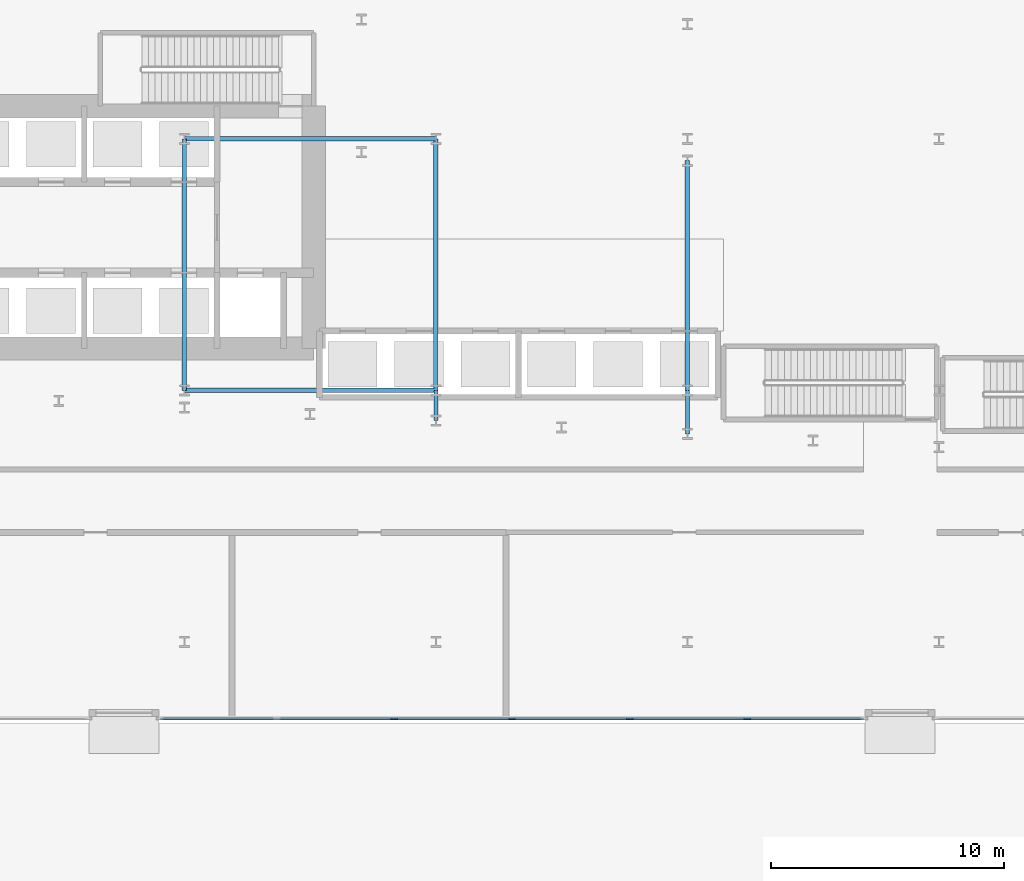
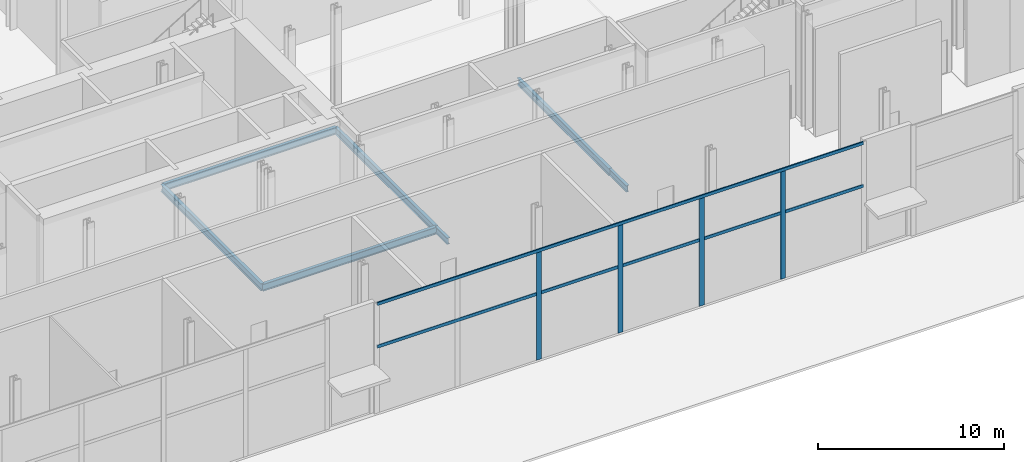
# One storey, part 6 of 46: 7 beams, 6 members, 1 element without a shape of its own.
"""IFC4 building model written with IfcOpenShell, lengths in metres."""

import ifcopenshell
import ifcopenshell.guid

model = None  # the IFC model being written
_history = None  # IfcOwnerHistory: only IFC2X3 demands one
_inside = {}  # id of a spatial element -> (the spatial element, [elements in it])
_under = {}  # id of a project, library or spatial element -> (it, [spatial elements below it])
_declared = {}  # id of a project -> (the project, [libraries it declares])
_typed = {}  # id of a type object -> (the type object, [elements of that type])
_made_of = {}  # id of a material, layer set ... -> (it, [elements and type objects made of it])


def new_model(schema):
    """Start an empty IFC model of exactly this schema.

    Asked for "IFC4X3", IfcOpenShell would pick the latest addendum, in which some entities
    have other attributes; the version numbers below select the first issue.
    IFC2X3 requires an IfcOwnerHistory on every rooted entity: one is made here for all.
    """
    global model, _history
    if schema == "IFC4X3":
        model = ifcopenshell.file(schema_version=(4, 3, 0, 0))
    else:
        model = ifcopenshell.file(schema=schema)
    _inside.clear()
    _under.clear()
    _declared.clear()
    _typed.clear()
    _made_of.clear()
    _history = None
    if model.schema == "IFC2X3":
        org = make("IfcOrganization", Name="unknown")
        user = make(
            "IfcPersonAndOrganization",
            ThePerson=make("IfcPerson", FamilyName="unknown"),
            TheOrganization=org,
        )
        app = make(
            "IfcApplication",
            ApplicationDeveloper=org,
            Version="unknown",
            ApplicationFullName="unknown",
            ApplicationIdentifier="unknown",
        )
        _history = make(
            "IfcOwnerHistory",
            OwningUser=user,
            OwningApplication=app,
            ChangeAction="ADDED",
            CreationDate=0,
        )
    return model


def make(cls, **values):
    """One entity of the class cls with the attributes given. An attribute that is None is left unset."""
    return model.create_entity(
        cls, **{name: value for name, value in values.items() if value is not None}
    )


def rooted(cls, **values):
    """An entity with a GlobalId (a new one), such as an element, a storey or a relation."""
    return make(cls, GlobalId=ifcopenshell.guid.new(), OwnerHistory=_history, **values)


def si_unit(unit_type, name, prefix=None):
    """IfcSIUnit, for example si_unit("LENGTHUNIT", "METRE", prefix="MILLI")."""
    return make("IfcSIUnit", UnitType=unit_type, Prefix=prefix, Name=name)


def assignment(units):
    """IfcUnitAssignment: the units of a project."""
    return None if units is None else make("IfcUnitAssignment", Units=units)


def point(xyz):
    """IfcCartesianPoint."""
    return None if xyz is None else make("IfcCartesianPoint", Coordinates=xyz)


def direction(xyz):
    """IfcDirection."""
    return None if xyz is None else make("IfcDirection", DirectionRatios=xyz)


def frame(location, z_axis=None, x_axis=None):
    """IfcAxis2Placement3D, a coordinate frame: its origin and axes. An axis left out is left unset."""
    return make(
        "IfcAxis2Placement3D",
        Location=point(location),
        Axis=direction(z_axis),
        RefDirection=direction(x_axis),
    )


def frame_2d(location, x_axis=None):
    """IfcAxis2Placement2D, a coordinate frame in the plane: its origin and x axis."""
    return make(
        "IfcAxis2Placement2D", Location=point(location), RefDirection=direction(x_axis)
    )


def origin():
    """The frame at (0, 0, 0) with its axes left unset."""
    return frame((0.0, 0.0, 0.0))


def origin_2d():
    """The frame at (0, 0) in the plane with its x axis left unset."""
    return frame_2d((0.0, 0.0))


def place(relative_to, where):
    """IfcLocalPlacement: puts the frame where relative to a parent placement (None: the world)."""
    return make(
        "IfcLocalPlacement", PlacementRelTo=relative_to, RelativePlacement=where
    )


def context(
    kind, dimensions, precision=None, world=None, true_north=None, identifier=None
):
    """IfcGeometricRepresentationContext, for example the 3D "Model" context."""
    return make(
        "IfcGeometricRepresentationContext",
        ContextIdentifier=identifier,
        ContextType=kind,
        CoordinateSpaceDimension=dimensions,
        Precision=precision,
        WorldCoordinateSystem=world,
        TrueNorth=true_north,
    )


def subcontext(parent, identifier, kind, view, scale=None):
    """IfcGeometricRepresentationSubContext, for example "Body" below "Model"."""
    return make(
        "IfcGeometricRepresentationSubContext",
        ContextIdentifier=identifier,
        ContextType=kind,
        ParentContext=parent,
        TargetScale=scale,
        TargetView=view,
    )


def project(units=None, contexts=None):
    """IfcProject with its units and contexts."""
    return rooted(
        "IfcProject",
        Name="project",
        RepresentationContexts=contexts,
        UnitsInContext=assignment(units),
    )


def spatial(cls, under=None, at=None, **own):
    """A site, building, storey or space (cls), placed at a placement, below another one or the project."""
    s = rooted(cls, ObjectPlacement=at, **own)
    if under is not None:
        _under.setdefault(under.id(), (under, []))[1].append(s)
    return s


def profile(cls, at=None, kind="AREA", **sizes):
    """A parametric profile (cls). Its sizes go by their IFC names, for example OverallWidth=200.0."""
    return make(cls, ProfileType=kind, Position=at, **sizes)


def rectangle(**sizes):
    """IfcRectangleProfileDef."""
    return profile("IfcRectangleProfileDef", **sizes)


def i_section(**sizes):
    """IfcIShapeProfileDef."""
    return profile("IfcIShapeProfileDef", **sizes)


def extrude(swept, where, along, depth):
    """IfcExtrudedAreaSolid: the profile swept, set in the frame where, extruded along a direction by depth."""
    return make(
        "IfcExtrudedAreaSolid",
        SweptArea=swept,
        Position=where,
        ExtrudedDirection=direction(along),
        Depth=depth,
    )


def shape(context_of_items, identifier, shape_type, items):
    """IfcShapeRepresentation: the items that make up one representation, for example the "Body"."""
    return make(
        "IfcShapeRepresentation",
        ContextOfItems=context_of_items,
        RepresentationIdentifier=identifier,
        RepresentationType=shape_type,
        Items=items,
    )


def material(Name=None, Category=None):
    """IfcMaterial."""
    return make("IfcMaterial", Name=Name, Category=Category)


def layer(
    of_material, thickness, ventilated=None, Name=None, Category=None, Priority=None
):
    """IfcMaterialLayer: one layer of a wall or slab, of a material (None: an air gap)."""
    return make(
        "IfcMaterialLayer",
        Material=of_material,
        LayerThickness=thickness,
        IsVentilated=ventilated,
        Name=Name,
        Category=Category,
        Priority=Priority,
    )


def layer_set(layers, Name=None):
    """IfcMaterialLayerSet."""
    return make("IfcMaterialLayerSet", MaterialLayers=layers, LayerSetName=Name)


def material_profile(
    of_material, cross_section, Name=None, Category=None, Priority=None
):
    """IfcMaterialProfile: a cross section and its material."""
    return make(
        "IfcMaterialProfile",
        Name=Name,
        Material=of_material,
        Profile=cross_section,
        Priority=Priority,
        Category=Category,
    )


def profile_set(profiles, Name=None, composite=None):
    """IfcMaterialProfileSet."""
    return make(
        "IfcMaterialProfileSet",
        Name=Name,
        MaterialProfiles=profiles,
        CompositeProfile=composite,
    )


def made_of(thing, what):
    """Note that an element or type object is made of a material, layer set ...; save() writes the relation."""
    if what is not None:
        _made_of.setdefault(what.id(), (what, []))[1].append(thing)
    return thing


def type_object(cls, material=None, **own):
    """A type object (cls), such as IfcWallType, which elements share."""
    return made_of(rooted(cls, **own), material)


def element(
    cls,
    number,
    at=None,
    inside=None,
    cuts=None,
    type_object=None,
    material=None,
    context=None,
    identifier="Body",
    shape_type=None,
    held_by="IfcProductDefinitionShape",
    body=None,
    shapes=None,
    **own,
):
    """One element of the class cls, such as IfcWall. Its Tag is "e" and its number.

    at: its placement. inside: the storey or other place that contains it. cuts: it is an
    opening in that element (IfcRelVoidsElement). A single representation is given by context,
    identifier, shape_type and body (its items); several are given by shapes. held_by: the class
    of the entity that holds the representations. save() writes the other relations.
    """
    e = rooted(cls, Tag="e%d" % number, ObjectPlacement=at, **own)
    if body is not None:
        shapes = [shape(context, identifier, shape_type, body)]
    if shapes is not None:
        e.Representation = make(held_by, Representations=shapes)
    if inside is not None:
        _inside.setdefault(inside.id(), (inside, []))[1].append(e)
    if cuts is not None:
        rooted(
            "IfcRelVoidsElement", RelatingBuildingElement=cuts, RelatedOpeningElement=e
        )
    if type_object is not None:
        _typed.setdefault(type_object.id(), (type_object, []))[1].append(e)
    return made_of(e, material)


def aggregate(whole, parts):
    """IfcRelAggregates: a whole, such as a stair, and the parts it consists of."""
    return rooted("IfcRelAggregates", RelatingObject=whole, RelatedObjects=parts)


def save(model, path):
    """Write the relations noted so far, then the file.

    IfcRelAggregates (storeys below a building ...), IfcRelContainedInSpatialStructure (elements
    in a storey), IfcRelDefinesByType, IfcRelAssociatesMaterial and IfcRelDeclares: one each for
    every whole, place, type object, material and project.
    """
    for whole, parts in _under.values():
        aggregate(whole, parts)
    for where, things in _inside.values():
        rooted(
            "IfcRelContainedInSpatialStructure",
            RelatedElements=things,
            RelatingStructure=where,
        )
    for kind, things in _typed.values():
        rooted("IfcRelDefinesByType", RelatedObjects=things, RelatingType=kind)
    for what, things in _made_of.values():
        rooted("IfcRelAssociatesMaterial", RelatedObjects=things, RelatingMaterial=what)
    for by, libraries in _declared.values():
        rooted("IfcRelDeclares", RelatingContext=by, RelatedDefinitions=libraries)
    model.write(path)


model = new_model("IFC4")

# Units and contexts
model_context = context("Model", 3, precision=1e-05, world=origin(), true_north=direction((0.0, 1.0)))
body_context = subcontext(model_context, "Body", "Model", "MODEL_VIEW")
ifc_project = project(units=[si_unit("LENGTHUNIT", "METRE"), si_unit("AREAUNIT", "SQUARE_METRE"), si_unit("VOLUMEUNIT", "CUBIC_METRE"), si_unit("PLANEANGLEUNIT", "RADIAN"), si_unit("MASSUNIT", "GRAM", prefix="KILO")], contexts=[model_context])

# Site, building, storey
site_placement = place(None, origin())
site = spatial("IfcSite", under=ifc_project, at=site_placement, CompositionType="ELEMENT")
building_placement = place(site_placement, origin())
building = spatial("IfcBuilding", under=site, at=building_placement, Name="Kheshtan School and Residences Tower", CompositionType="ELEMENT")
storey_placement = place(building_placement, origin())
storey = spatial("IfcBuildingStorey", under=building, at=storey_placement, Name="L00", CompositionType="ELEMENT", Elevation=0.0)

# Beams
ifc_material_1 = material(Name="Steel ASTM A992 Grade 50", Category="steel")
ifc_material_profile_1 = material_profile(ifc_material_1, i_section(OverallWidth=0.180908203125, OverallDepth=0.4169921875, WebThickness=0.010986328125, FlangeThickness=0.018310546875, FilletRadius=0.012451171875, at=origin_2d()), Name="W410x85")
ifc_profile_set_1 = profile_set([ifc_material_profile_1], Name="Steel ASTM A992 Grade 50")
beam_type_1 = type_object("IfcBeamType", Name="Beam PB1 W410x85 ASTM A992 Grade 50", PredefinedType="BEAM", material=ifc_profile_set_1)
beam_1_placement = place(storey_placement, frame((58.39990234375, 22.699951171875, -0.62841796875), z_axis=(0.0, 1.0, 0.0), x_axis=(-1.0, 0.0, 0.0)))
element("IfcBeam", 1, at=beam_1_placement, inside=storey, type_object=beam_type_1, Name="Podium floor beam PB1", PredefinedType="BEAM", context=body_context, shape_type="SweptSolid", body=[
    extrude(i_section(OverallWidth=0.180908203125, OverallDepth=0.4169921875, WebThickness=0.010986328125, FlangeThickness=0.018310546875, FilletRadius=0.012451171875, at=origin_2d()), origin(), (0.0, 0.0, 1.0), 1.300048828125),
])
beam_2_placement = place(storey_placement, frame((69.199951171875, 22.1298828125, -0.62841796875), z_axis=(0.0, 1.0, 0.0), x_axis=(-1.0, 0.0, 0.0)))
element("IfcBeam", 2, at=beam_2_placement, inside=storey, type_object=beam_type_1, Name="Podium floor beam PB1", PredefinedType="BEAM", context=body_context, shape_type="SweptSolid", body=[
    extrude(i_section(OverallWidth=0.180908203125, OverallDepth=0.4169921875, WebThickness=0.010986328125, FlangeThickness=0.018310546875, FilletRadius=0.012451171875, at=origin_2d()), origin(), (0.0, 0.0, 1.0), 1.8701171875),
])
ifc_material_profile_2 = material_profile(ifc_material_1, i_section(OverallWidth=0.194091796875, OverallDepth=0.468994140625, WebThickness=0.0126953125, FlangeThickness=0.0205078125, FilletRadius=0.01416015625, at=origin_2d()), Name="W460x106")
ifc_profile_set_2 = profile_set([ifc_material_profile_2], Name="Steel ASTM A992 Grade 50")
beam_type_2 = type_object("IfcBeamType", Name="Beam PB2 W460x106 ASTM A992 Grade 50", PredefinedType="BEAM", material=ifc_profile_set_2)
for number, where, z_axis, x_axis, name in (
    (3, (47.60009765625, 24.0, -0.654541015625), (0.0, 1.0, 0.0), (-1.0, 0.0, 0.0), "Podium floor beam PB2"),
    (4, (58.39990234375, 24.0, -0.654541015625), (0.0, 1.0, 0.0), (-1.0, 0.0, 0.0), "Podium floor beam PB2"),
):
    element("IfcBeam", number, at=place(storey_placement, frame(where, z_axis=z_axis, x_axis=x_axis)), inside=storey, type_object=beam_type_2, Name=name, PredefinedType="BEAM", context=body_context, shape_type="SweptSolid", body=[
        extrude(i_section(OverallWidth=0.194091796875, OverallDepth=0.468994140625, WebThickness=0.0126953125, FlangeThickness=0.0205078125, FilletRadius=0.01416015625, at=origin_2d()), origin(), (0.0, 0.0, 1.0), 10.800048828125),
    ])
beam_3_placement = place(storey_placement, frame((69.199951171875, 24.0, -0.654541015625), z_axis=(0.0, 1.0, 0.0), x_axis=(-1.0, 0.0, 0.0)))
element("IfcBeam", 5, at=beam_3_placement, inside=storey, type_object=beam_type_2, Name="Podium floor beam PB2", PredefinedType="BEAM", context=body_context, shape_type="SweptSolid", body=[
    extrude(i_section(OverallWidth=0.194091796875, OverallDepth=0.468994140625, WebThickness=0.0126953125, FlangeThickness=0.0205078125, FilletRadius=0.01416015625, at=origin_2d()), origin(), (0.0, 0.0, 1.0), 9.860107421875),
])
for number, where, z_axis, x_axis, name in (
    (6, (47.60009765625, 24.0, -0.654541015625), (1.0, 0.0, 0.0), (0.0, 1.0, 0.0), "Podium floor beam PB2"),
    (7, (47.60009765625, 34.800048828125, -0.654541015625), (1.0, 0.0, 0.0), (0.0, 1.0, 0.0), "Podium floor beam PB2"),
):
    element("IfcBeam", number, at=place(storey_placement, frame(where, z_axis=z_axis, x_axis=x_axis)), inside=storey, type_object=beam_type_2, Name=name, PredefinedType="BEAM", context=body_context, shape_type="SweptSolid", body=[
        extrude(i_section(OverallWidth=0.194091796875, OverallDepth=0.468994140625, WebThickness=0.0126953125, FlangeThickness=0.0205078125, FilletRadius=0.01416015625, at=origin_2d()), origin(), (0.0, 0.0, 1.0), 10.7998046875),
    ])

# Curtain wall, members
ifc_material_2 = material(Name="Clear low-e glass in thermally broken aluminium frame", Category="aluminium")
ifc_layer = layer(ifc_material_2, 0.300048828125)
ifc_layer_set = layer_set([ifc_layer], Name="Curtain wall CW-A")
curtain_wall_type = type_object("IfcCurtainWallType", Name="Curtain wall CW-A", PredefinedType="NOTDEFINED", material=ifc_layer_set)
curtain_wall_placement = place(storey_placement, origin())
curtain_wall = element("IfcCurtainWall", 8, at=curtain_wall_placement, inside=storey, type_object=curtain_wall_type, Name="Curtain wall CWA12d", PredefinedType="NOTDEFINED")
ifc_material_3 = material(Name="Thermally broken aluminium, dark bronze anodised", Category="aluminium")
ifc_material_profile_3 = material_profile(ifc_material_3, rectangle(XDim=0.074951171875, YDim=0.300048828125, at=origin_2d()), Name="CW-A mullion 75x300")
ifc_profile_set_3 = profile_set([ifc_material_profile_3], Name="Thermally broken aluminium, dark bronze anodised")
member_type_1 = type_object("IfcMemberType", Name="CW-A mullion 75x300", PredefinedType="MULLION", material=ifc_profile_set_3)
member_1_placement = place(storey_placement, frame((71.779052734375, 9.89990234375, 0.0), z_axis=(0.0, 0.0, 1.0), x_axis=(0.0, -1.0, 0.0)))
member_1 = element("IfcMember", 9, at=member_1_placement, type_object=member_type_1, Name="CWA12d mullion 2", PredefinedType="MULLION", context=body_context, shape_type="SweptSolid", body=[
    extrude(rectangle(XDim=0.074951171875, YDim=0.300048828125, at=origin_2d()), origin(), (0.0, 0.0, 1.0), 7.050048828125),
])
member_2_placement = place(storey_placement, frame((66.723388671875, 9.89990234375, 0.0), z_axis=(0.0, 0.0, 1.0), x_axis=(0.0, -1.0, 0.0)))
member_2 = element("IfcMember", 10, at=member_2_placement, type_object=member_type_1, Name="CWA12d mullion 3", PredefinedType="MULLION", context=body_context, shape_type="SweptSolid", body=[
    extrude(rectangle(XDim=0.074951171875, YDim=0.300048828125, at=origin_2d()), origin(), (0.0, 0.0, 1.0), 7.050048828125),
])
member_3_placement = place(storey_placement, frame((61.66748046875, 9.89990234375, 0.0), z_axis=(0.0, 0.0, 1.0), x_axis=(0.0, -1.0, 0.0)))
member_3 = element("IfcMember", 11, at=member_3_placement, type_object=member_type_1, Name="CWA12d mullion 4", PredefinedType="MULLION", context=body_context, shape_type="SweptSolid", body=[
    extrude(rectangle(XDim=0.074951171875, YDim=0.300048828125, at=origin_2d()), origin(), (0.0, 0.0, 1.0), 7.050048828125),
])
member_4_placement = place(storey_placement, frame((56.611572265625, 9.89990234375, 0.0), z_axis=(0.0, 0.0, 1.0), x_axis=(0.0, -1.0, 0.0)))
member_4 = element("IfcMember", 12, at=member_4_placement, type_object=member_type_1, Name="CWA12d mullion 5", PredefinedType="MULLION", context=body_context, shape_type="SweptSolid", body=[
    extrude(rectangle(XDim=0.074951171875, YDim=0.300048828125, at=origin_2d()), origin(), (0.0, 0.0, 1.0), 7.050048828125),
])
ifc_material_profile_4 = material_profile(ifc_material_3, rectangle(XDim=0.074951171875, YDim=0.199951171875, at=origin_2d()), Name="CW-A transom 75x200")
ifc_profile_set_4 = profile_set([ifc_material_profile_4], Name="Thermally broken aluminium, dark bronze anodised")
member_type_2 = type_object("IfcMemberType", Name="CW-A transom 75x200", PredefinedType="USERDEFINED", material=ifc_profile_set_4)
member_5_placement = place(storey_placement, frame((76.760009765625, 9.89990234375, 4.35009765625), z_axis=(-1.0, 0.0, 0.0), x_axis=(0.0, -1.0, 0.0)))
member_5 = element("IfcMember", 13, at=member_5_placement, type_object=member_type_2, Name="CWA12d transom 1", ObjectType="TRANSOM", PredefinedType="USERDEFINED", context=body_context, shape_type="SweptSolid", body=[
    extrude(rectangle(XDim=0.074951171875, YDim=0.199951171875, at=origin_2d()), origin(), (0.0, 0.0, 1.0), 30.18505859375),
])
member_6_placement = place(storey_placement, frame((76.760009765625, 9.89990234375, 7.14990234375), z_axis=(-1.0, 0.0, 0.0), x_axis=(0.0, -1.0, 0.0)))
member_6 = element("IfcMember", 14, at=member_6_placement, type_object=member_type_2, Name="CWA12d transom 2", ObjectType="TRANSOM", PredefinedType="USERDEFINED", context=body_context, shape_type="SweptSolid", body=[
    extrude(rectangle(XDim=0.074951171875, YDim=0.199951171875, at=origin_2d()), origin(), (0.0, 0.0, 1.0), 30.18505859375),
])
aggregate(curtain_wall, [member_1, member_2, member_3, member_4, member_5, member_6])

save(model, "model.ifc")
